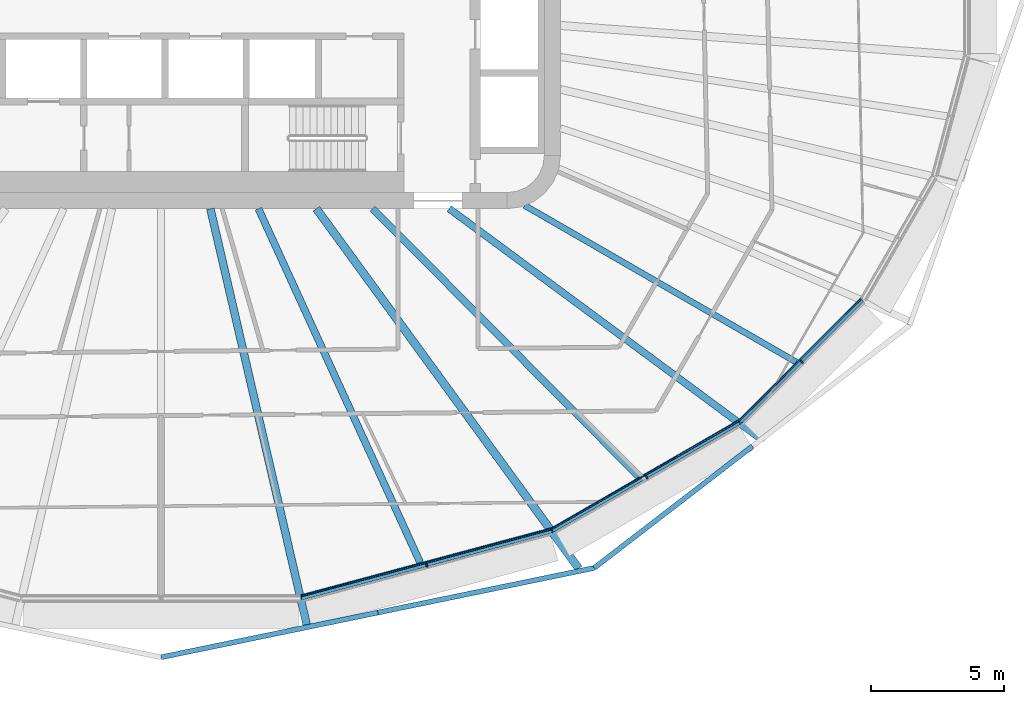
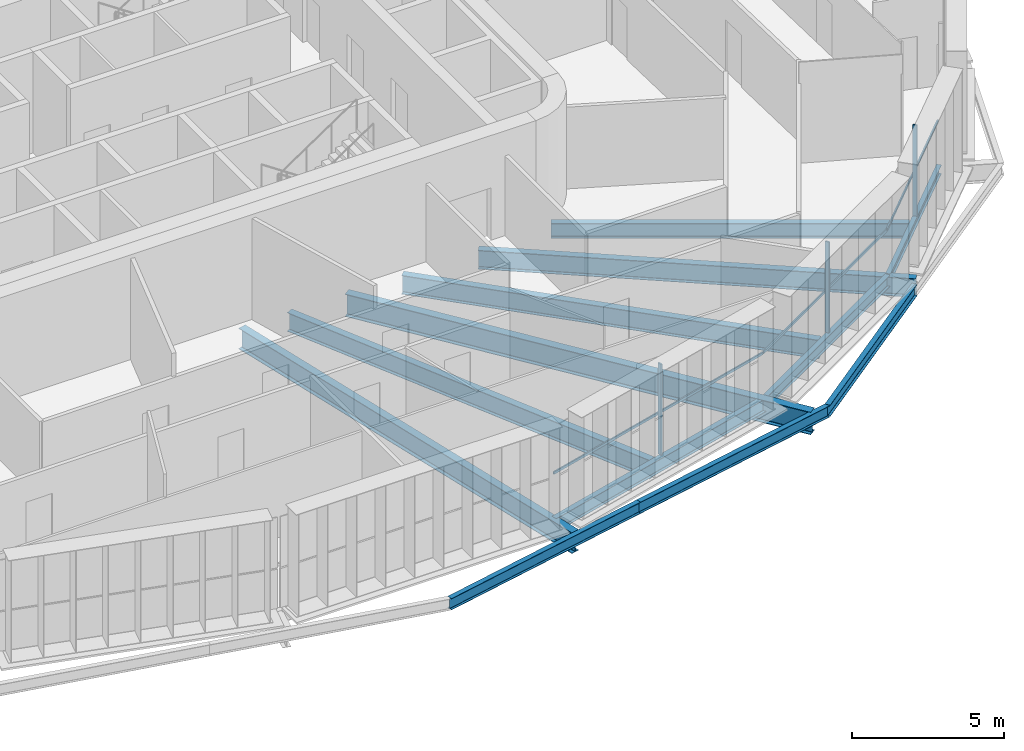
# One storey, part 4 of 22: 12 beams, 6 members, 3 elements without a shape of their own.
"""IFC4 building model written with IfcOpenShell, lengths in metres."""

from ifc_helpers import new_model, si_unit, direction, frame, origin, origin_2d, place, context, subcontext, project, spatial, rectangle, i_section, extrude, material, layer, layer_set, material_profile, profile_set, type_object, element, aggregate, save


model = new_model("IFC4")

# Units and contexts
model_context = context("Model", 3, precision=1e-05, world=origin(), true_north=direction((0.0, 1.0)))
body_context = subcontext(model_context, "Body", "Model", "MODEL_VIEW")
ifc_project = project(units=[si_unit("LENGTHUNIT", "METRE"), si_unit("AREAUNIT", "SQUARE_METRE"), si_unit("VOLUMEUNIT", "CUBIC_METRE"), si_unit("PLANEANGLEUNIT", "RADIAN"), si_unit("MASSUNIT", "GRAM", prefix="KILO")], contexts=[model_context])

# Site, building, storey
site_placement = place(None, origin())
site = spatial("IfcSite", under=ifc_project, at=site_placement, CompositionType="ELEMENT")
building_placement = place(site_placement, origin())
building = spatial("IfcBuilding", under=site, at=building_placement, Name="Sahrelin Media Tower", CompositionType="ELEMENT")
storey_placement = place(building_placement, frame((0.0, 0.0, 50.39990234375)))
storey = spatial("IfcBuildingStorey", under=building, at=storey_placement, Name="L07", CompositionType="ELEMENT", Elevation=50.39990234375)

# Beams
ifc_material_1 = material(Name="Steel S355", Category="steel")
ifc_material_profile_1 = material_profile(ifc_material_1, i_section(OverallWidth=0.17138671875, OverallDepth=0.35498046875, WebThickness=0.00732421875, FlangeThickness=0.011474609375, FilletRadius=0.01025390625, at=origin_2d()), Name="UB 356x171x51")
ifc_profile_set_1 = profile_set([ifc_material_profile_1], Name="Steel S355")
beam_type_1 = type_object("IfcBeamType", Name="Edge beam EB3", PredefinedType="BEAM", material=ifc_profile_set_1)
beam_1_placement = place(storey_placement, frame((26.319580078125, -11.4130859375, -0.327392578125), z_axis=(-0.707087947355, -0.707125614516, 0.0), x_axis=(0.707125614516, -0.707087947355, 0.0)))
element("IfcBeam", 1, at=beam_1_placement, inside=storey, type_object=beam_type_1, Name="Edge beam L07-04", PredefinedType="BEAM", context=body_context, shape_type="SweptSolid", body=[
    extrude(i_section(OverallWidth=0.17138671875, OverallDepth=0.35498046875, WebThickness=0.00732421875, FlangeThickness=0.011474609375, FilletRadius=0.01025390625, at=origin_2d()), origin(), (0.0, 0.0, 1.0), 6.4814453125),
])
ifc_material_profile_2 = material_profile(ifc_material_1, i_section(OverallWidth=0.1904296875, OverallDepth=0.45703125, WebThickness=0.009033203125, FlangeThickness=0.014404296875, FilletRadius=0.01025390625, at=origin_2d()), Name="UB 457x191x74")
ifc_profile_set_2 = profile_set([ifc_material_profile_2], Name="Steel S355")
beam_type_2 = type_object("IfcBeamType", Name="Edge beam EB5", PredefinedType="BEAM", material=ifc_profile_set_2)
beam_2_placement = place(storey_placement, frame((21.713623046875, -16.013916015625, -0.37841796875), z_axis=(-0.866025076934, -0.500000566121, 0.0), x_axis=(0.500000566121, -0.866025076934, 0.0)))
element("IfcBeam", 2, at=beam_2_placement, inside=storey, type_object=beam_type_2, Name="Edge beam L07-05", PredefinedType="BEAM", context=body_context, shape_type="SweptSolid", body=[
    extrude(i_section(OverallWidth=0.1904296875, OverallDepth=0.45703125, WebThickness=0.009033203125, FlangeThickness=0.014404296875, FilletRadius=0.01025390625, at=origin_2d()), origin(), (0.0, 0.0, 1.0), 8.10546875),
])
ifc_material_profile_3 = material_profile(ifc_material_1, i_section(OverallWidth=0.208740234375, OverallDepth=0.5283203125, WebThickness=0.009521484375, FlangeThickness=0.01318359375, FilletRadius=0.0126953125, at=origin_2d()), Name="UB 533x210x82")
ifc_profile_set_3 = profile_set([ifc_material_profile_3], Name="Steel S355")
beam_type_3 = type_object("IfcBeamType", Name="Edge beam EB6", PredefinedType="BEAM", material=ifc_profile_set_3)
beam_3_placement = place(storey_placement, frame((14.66748046875, -20.07763671875, -0.4140625), z_axis=(-0.96592925142, -0.258806262002, 0.0), x_axis=(0.258806262002, -0.96592925142, 0.0)))
element("IfcBeam", 3, at=beam_3_placement, inside=storey, type_object=beam_type_3, Name="Edge beam L07-06", PredefinedType="BEAM", context=body_context, shape_type="SweptSolid", body=[
    extrude(i_section(OverallWidth=0.208740234375, OverallDepth=0.5283203125, WebThickness=0.009521484375, FlangeThickness=0.01318359375, FilletRadius=0.0126953125, at=origin_2d()), origin(), (0.0, 0.0, 1.0), 9.738037109375),
])

# Curtain wall, member
ifc_material_2 = material(Name="Champagne anodised aluminium 6063-T6", Category="aluminium")
ifc_layer = layer(ifc_material_2, 0.14990234375)
ifc_layer_set = layer_set([ifc_layer], Name="Tower ribbon curtain wall")
curtain_wall_type = type_object("IfcCurtainWallType", Name="Tower ribbon curtain wall", PredefinedType="NOTDEFINED", material=ifc_layer_set)
curtain_wall_1_placement = place(storey_placement, frame((10.003173828125, -21.482666015625, 0.0), z_axis=(0.0, 0.0, 1.0), x_axis=(1.0, 0.0, 0.0)))
curtain_wall_1 = element("IfcCurtainWall", 4, at=curtain_wall_1_placement, inside=storey, type_object=curtain_wall_type, Name="L07:CW:L07-19", PredefinedType="NOTDEFINED")
ifc_material_profile_4 = material_profile(ifc_material_2, rectangle(XDim=0.06005859375, YDim=0.14990234375, at=origin_2d()), Name="Mullion 60x150")
ifc_profile_set_4 = profile_set([ifc_material_profile_4], Name="Champagne anodised aluminium 6063-T6")
member_type_1 = type_object("IfcMemberType", Name="Mullion 60x150 CW1", PredefinedType="MULLION", material=ifc_profile_set_4)
member_1_placement = place(storey_placement, frame((9.978515625, -21.39111328125, 0.0), z_axis=(0.0, 0.0, 1.0), x_axis=(0.965927181449, 0.258813987523, 0.0)))
member_1 = element("IfcMember", 5, at=member_1_placement, type_object=member_type_1, Name="L07:CWM:L07-19", PredefinedType="MULLION", context=body_context, shape_type="SweptSolid", body=[
    extrude(rectangle(XDim=0.06005859375, YDim=0.14990234375, at=origin_2d()), origin(), (0.0, 0.0, 1.0), 3.648681640625),
])

curtain_wall_2_placement = place(storey_placement, frame((18.27880859375, -18.170166015625, 0.0), z_axis=(0.0, 0.0, 1.0), x_axis=(1.0, 0.0, 0.0)))
curtain_wall_2 = element("IfcCurtainWall", 6, at=curtain_wall_2_placement, inside=storey, type_object=curtain_wall_type, Name="L07:CW:L07-20", PredefinedType="NOTDEFINED")
member_2_placement = place(storey_placement, frame((18.2314453125, -18.087890625, 0.0), z_axis=(0.0, 0.0, 1.0), x_axis=(0.866025403784, 0.5, 0.0)))
member_2 = element("IfcMember", 7, at=member_2_placement, type_object=member_type_1, Name="L07:CWM:L07-20", PredefinedType="MULLION", context=body_context, shape_type="SweptSolid", body=[
    extrude(rectangle(XDim=0.06005859375, YDim=0.14990234375, at=origin_2d()), origin(), (0.0, 0.0, 1.0), 3.648681640625),
])

curtain_wall_3_placement = place(storey_placement, frame((24.134033203125, -13.810791015625, 0.0), z_axis=(0.0, 0.0, 1.0), x_axis=(1.0, 0.0, 0.0)))
curtain_wall_3 = element("IfcCurtainWall", 8, at=curtain_wall_3_placement, inside=storey, type_object=curtain_wall_type, Name="L07:CW:L07-21", PredefinedType="NOTDEFINED")
member_3_placement = place(storey_placement, frame((24.06689453125, -13.74365234375, 0.0), z_axis=(0.0, 0.0, 1.0), x_axis=(0.707106781187, 0.707106781187, 0.0)))
member_3 = element("IfcMember", 9, at=member_3_placement, type_object=member_type_1, Name="L07:CWM:L07-21", PredefinedType="MULLION", context=body_context, shape_type="SweptSolid", body=[
    extrude(rectangle(XDim=0.06005859375, YDim=0.14990234375, at=origin_2d()), origin(), (0.0, 0.0, 1.0), 3.648681640625),
])

# Beams
ifc_material_profile_5 = material_profile(ifc_material_1, i_section(OverallWidth=0.291748046875, OverallDepth=0.8349609375, WebThickness=0.013916015625, FlangeThickness=0.018798828125, FilletRadius=0.017822265625, at=origin_2d()), Name="UB 838x292x176")
ifc_profile_set_5 = profile_set([ifc_material_profile_5], Name="Steel S355")
beam_type_4 = type_object("IfcBeamType", Name="Radial primary beam PB10", PredefinedType="BEAM", material=ifc_profile_set_5)
beam_4_placement = place(storey_placement, frame((1.85205078125, -8.0, -0.5673828125), z_axis=(0.225518807916, -0.974238814294, 0.0), x_axis=(0.974238814294, 0.225518807916, 0.0)))
element("IfcBeam", 10, at=beam_4_placement, inside=storey, type_object=beam_type_4, Name="Radial beam L07-19", PredefinedType="BEAM", context=body_context, shape_type="SweptSolid", body=[
    extrude(i_section(OverallWidth=0.291748046875, OverallDepth=0.8349609375, WebThickness=0.013916015625, FlangeThickness=0.018798828125, FilletRadius=0.017822265625, at=origin_2d()), origin(), (0.0, 0.0, 1.0), 16.0361328125),
])
ifc_material_profile_6 = material_profile(ifc_material_1, i_section(OverallWidth=0.30322265625, OverallDepth=0.903076171875, WebThickness=0.01513671875, FlangeThickness=0.020263671875, FilletRadius=0.01904296875, at=origin_2d()), Name="UB 914x305x201")
ifc_profile_set_6 = profile_set([ifc_material_profile_6], Name="Steel S355")
beam_type_5 = type_object("IfcBeamType", Name="Radial primary beam PB11", PredefinedType="BEAM", material=ifc_profile_set_6)
beam_5_placement = place(storey_placement, frame((5.83349609375, -8.0, -0.601318359375), z_axis=(0.589182282122, -0.808000147546, 0.0), x_axis=(0.808000147546, 0.589182282122, 0.0)))
element("IfcBeam", 11, at=beam_5_placement, inside=storey, type_object=beam_type_5, Name="Radial beam L07-20", PredefinedType="BEAM", context=body_context, shape_type="SweptSolid", body=[
    extrude(i_section(OverallWidth=0.30322265625, OverallDepth=0.903076171875, WebThickness=0.01513671875, FlangeThickness=0.020263671875, FilletRadius=0.01904296875, at=origin_2d()), origin(), (0.0, 0.0, 1.0), 16.72705078125),
])
ifc_material_profile_7 = material_profile(ifc_material_1, i_section(OverallWidth=0.26513671875, OverallDepth=0.75390625, WebThickness=0.0126953125, FlangeThickness=0.017578125, FilletRadius=0.0166015625, at=origin_2d()), Name="UB 762x267x147")
ifc_profile_set_7 = profile_set([ifc_material_profile_7], Name="Steel S355")
beam_type_6 = type_object("IfcBeamType", Name="Radial primary beam PB9", PredefinedType="BEAM", material=ifc_profile_set_7)
beam_6_placement = place(storey_placement, frame((10.823486328125, -8.0, -0.52685546875), z_axis=(0.804169832408, -0.594399596774, 0.0), x_axis=(0.594399596774, 0.804169832408, 0.0)))
element("IfcBeam", 12, at=beam_6_placement, inside=storey, type_object=beam_type_6, Name="Radial beam L07-21", PredefinedType="BEAM", context=body_context, shape_type="SweptSolid", body=[
    extrude(i_section(OverallWidth=0.26513671875, OverallDepth=0.75390625, WebThickness=0.0126953125, FlangeThickness=0.017578125, FilletRadius=0.0166015625, at=origin_2d()), origin(), (0.0, 0.0, 1.0), 14.475830078125),
])
ifc_material_profile_8 = material_profile(ifc_material_1, i_section(OverallWidth=0.2275390625, OverallDepth=0.6025390625, WebThickness=0.010498046875, FlangeThickness=0.014892578125, FilletRadius=0.0126953125, at=origin_2d()), Name="UB 610x229x101")
ifc_profile_set_8 = profile_set([ifc_material_profile_8], Name="Steel S355")
beam_type_7 = type_object("IfcBeamType", Name="Radial secondary beam SB7", PredefinedType="BEAM", material=ifc_profile_set_8)
beam_7_placement = place(storey_placement, frame((13.65283203125, -7.8759765625, -0.451171875), z_axis=(0.866208367887, -0.49968296289, 0.0), x_axis=(0.49968296289, 0.866208367887, 0.0)))
element("IfcBeam", 13, at=beam_7_placement, inside=storey, type_object=beam_type_7, Name="Secondary beam L07-21", PredefinedType="BEAM", context=body_context, shape_type="SweptSolid", body=[
    extrude(i_section(OverallWidth=0.2275390625, OverallDepth=0.6025390625, WebThickness=0.010498046875, FlangeThickness=0.014892578125, FilletRadius=0.0126953125, at=origin_2d()), origin(), (0.0, 0.0, 1.0), 11.774658203125),
])
ifc_material_profile_9 = material_profile(ifc_material_1, i_section(OverallWidth=0.26513671875, OverallDepth=0.75390625, WebThickness=0.0126953125, FlangeThickness=0.017578125, FilletRadius=0.0166015625, at=origin_2d()), Name="UB 762x267x147")
ifc_profile_set_9 = profile_set([ifc_material_profile_9], Name="Steel S355")
beam_type_8 = type_object("IfcBeamType", Name="Radial secondary beam SB9", PredefinedType="BEAM", material=ifc_profile_set_9)
beam_8_placement = place(storey_placement, frame((3.656982421875, -8.0, -0.52685546875), z_axis=(0.415742784264, -0.909482235853, 0.0), x_axis=(0.909482235853, 0.415742784264, 0.0)))
element("IfcBeam", 14, at=beam_8_placement, inside=storey, type_object=beam_type_8, Name="Secondary beam L07-19", PredefinedType="BEAM", context=body_context, shape_type="SweptSolid", body=[
    extrude(i_section(OverallWidth=0.26513671875, OverallDepth=0.75390625, WebThickness=0.0126953125, FlangeThickness=0.017578125, FilletRadius=0.0166015625, at=origin_2d()), origin(), (0.0, 0.0, 1.0), 14.61474609375),
])
beam_9_placement = place(storey_placement, frame((7.948486328125, -8.0, -0.52685546875), z_axis=(0.704816337712, -0.709389829426, 0.0), x_axis=(0.709389829426, 0.704816337712, 0.0)))
element("IfcBeam", 15, at=beam_9_placement, inside=storey, type_object=beam_type_8, Name="Secondary beam L07-20", PredefinedType="BEAM", context=body_context, shape_type="SweptSolid", body=[
    extrude(i_section(OverallWidth=0.26513671875, OverallDepth=0.75390625, WebThickness=0.0126953125, FlangeThickness=0.017578125, FilletRadius=0.0166015625, at=origin_2d()), origin(), (0.0, 0.0, 1.0), 14.199462890625),
])
ifc_material_profile_10 = material_profile(ifc_material_1, i_section(OverallWidth=0.1904296875, OverallDepth=0.45703125, WebThickness=0.009033203125, FlangeThickness=0.014404296875, FilletRadius=0.01025390625, at=origin_2d()), Name="UB 457x191x74")
ifc_profile_set_10 = profile_set([ifc_material_profile_10], Name="Steel S355")
beam_type_9 = type_object("IfcBeamType", Name="Tie chord TC5", PredefinedType="BEAM", material=ifc_profile_set_10)
beam_10_placement = place(storey_placement, frame((22.20947265625, -16.9208984375, -0.37841796875), z_axis=(-0.792465355599, -0.609916928913, 0.0), x_axis=(0.609916928913, -0.792465355599, 0.0)))
element("IfcBeam", 16, at=beam_10_placement, inside=storey, type_object=beam_type_9, Name="Tie chord L07-04", PredefinedType="BEAM", context=body_context, shape_type="SweptSolid", body=[
    extrude(i_section(OverallWidth=0.1904296875, OverallDepth=0.45703125, WebThickness=0.009033203125, FlangeThickness=0.014404296875, FilletRadius=0.01025390625, at=origin_2d()), origin(), (0.0, 0.0, 1.0), 7.49609375),
])
beam_11_placement = place(storey_placement, frame((16.26904296875, -21.492919921875, -0.37841796875), z_axis=(-0.979395648477, -0.201950894386, 0.0), x_axis=(0.201950894386, -0.979395648477, 0.0)))
element("IfcBeam", 17, at=beam_11_placement, inside=storey, type_object=beam_type_9, Name="Tie chord L07-05", PredefinedType="BEAM", context=body_context, shape_type="SweptSolid", body=[
    extrude(i_section(OverallWidth=0.1904296875, OverallDepth=0.45703125, WebThickness=0.009033203125, FlangeThickness=0.014404296875, FilletRadius=0.01025390625, at=origin_2d()), origin(), (0.0, 0.0, 1.0), 8.299072265625),
])
beam_12_placement = place(storey_placement, frame((8.140869140625, -23.1689453125, -0.37841796875), z_axis=(-0.979376603449, -0.202043234522, 0.0), x_axis=(0.202043234522, -0.979376603449, 0.0)))
element("IfcBeam", 18, at=beam_12_placement, inside=storey, type_object=beam_type_9, Name="Tie chord L07-06", PredefinedType="BEAM", context=body_context, shape_type="SweptSolid", body=[
    extrude(i_section(OverallWidth=0.1904296875, OverallDepth=0.45703125, WebThickness=0.009033203125, FlangeThickness=0.014404296875, FilletRadius=0.01025390625, at=origin_2d()), origin(), (0.0, 0.0, 1.0), 8.312255859375),
])

# Member
ifc_material_profile_11 = material_profile(ifc_material_2, rectangle(XDim=0.050048828125, YDim=0.10009765625, at=origin_2d()), Name="Transom 50x100")
ifc_profile_set_11 = profile_set([ifc_material_profile_11], Name="Champagne anodised aluminium 6063-T6")
member_type_2 = type_object("IfcMemberType", Name="Transom 50x100 CW1", PredefinedType="USERDEFINED", material=ifc_profile_set_11)
member_4_placement = place(storey_placement, frame((5.2646484375, -22.550537109375, 1.60009765625), z_axis=(0.965927843343, 0.258811517238, 0.0), x_axis=(-0.258811517238, 0.965927843343, 0.0)))
member_4 = element("IfcMember", 19, at=member_4_placement, type_object=member_type_2, Name="L07:CWT:L07-19", ObjectType="TRANSOM", PredefinedType="USERDEFINED", context=body_context, shape_type="SweptSolid", body=[
    extrude(rectangle(XDim=0.050048828125, YDim=0.10009765625, at=origin_2d()), origin(), (0.0, 0.0, 1.0), 9.706787109375),
])

aggregate(curtain_wall_1, [member_1, member_4])

member_5_placement = place(storey_placement, frame((14.685302734375, -20.019775390625, 1.60009765625), z_axis=(0.866029485168, 0.49999293077, 0.0), x_axis=(-0.49999293077, 0.866029485168, 0.0)))
member_5 = element("IfcMember", 20, at=member_5_placement, type_object=member_type_2, Name="L07:CWT:L07-20", ObjectType="TRANSOM", PredefinedType="USERDEFINED", context=body_context, shape_type="SweptSolid", body=[
    extrude(rectangle(XDim=0.050048828125, YDim=0.10009765625, at=origin_2d()), origin(), (0.0, 0.0, 1.0), 8.07373046875),
])

aggregate(curtain_wall_2, [member_2, member_5])

member_6_placement = place(storey_placement, frame((21.7158203125, -15.95361328125, 1.60009765625), z_axis=(0.707106781187, 0.707106781187, 0.0), x_axis=(-0.707106781187, 0.707106781187, 0.0)))
member_6 = element("IfcMember", 21, at=member_6_placement, type_object=member_type_2, Name="L07:CWT:L07-21", ObjectType="TRANSOM", PredefinedType="USERDEFINED", context=body_context, shape_type="SweptSolid", body=[
    extrude(rectangle(XDim=0.050048828125, YDim=0.10009765625, at=origin_2d()), origin(), (0.0, 0.0, 1.0), 6.4501953125),
])

aggregate(curtain_wall_3, [member_3, member_6])

save(model, "model.ifc")
